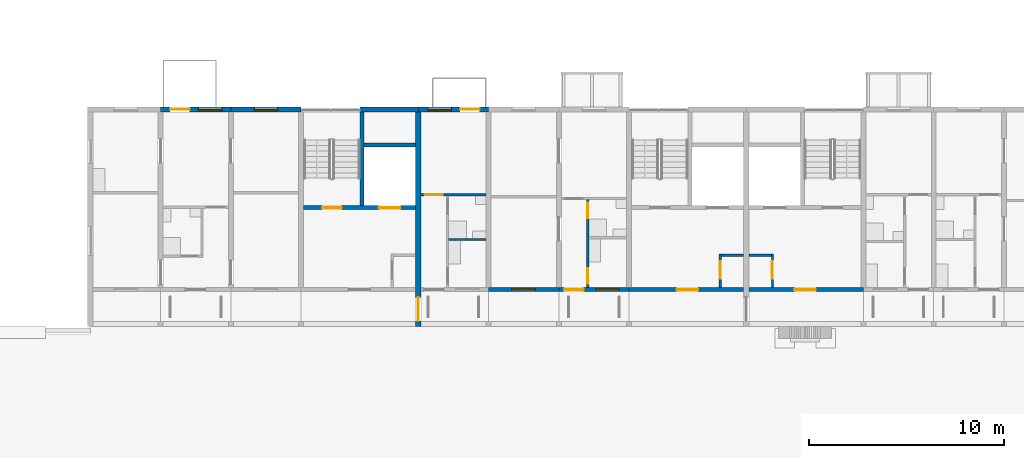
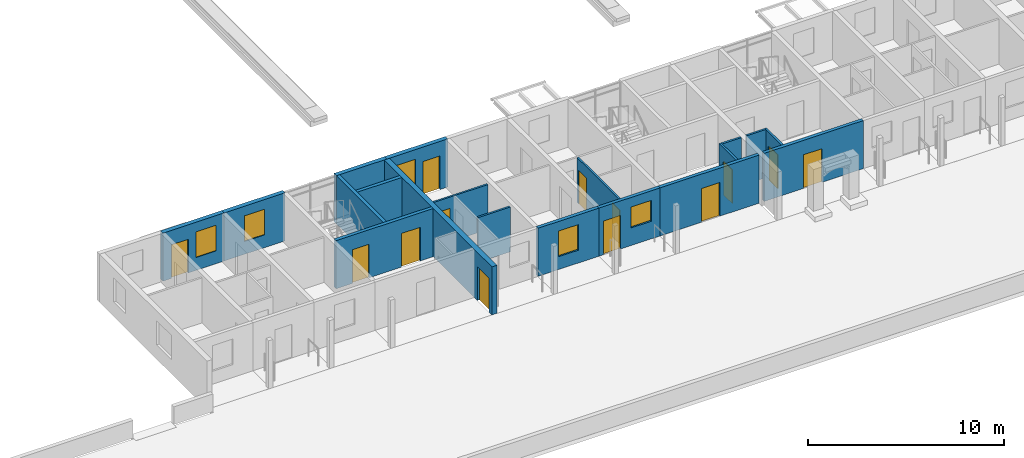
# One storey, part 41 of 115: 19 walls, 13 doors, 5 windows, 18 openings.
"""IFC4 building model written with IfcOpenShell, lengths in metres."""

from ifc_helpers import new_model, si_unit, direction, frame, frame_2d, origin, place, context, subcontext, project, spatial, rectangle, extrude, material, layer, layer_set, type_object, element, fill, save


model = new_model("IFC4")

# Units and contexts
model_context = context("Model", 3, precision=1e-05, world=origin(), true_north=direction((0.0, 1.0)))
body_context = subcontext(model_context, "Body", "Model", "MODEL_VIEW")
ifc_project = project(units=[si_unit("LENGTHUNIT", "METRE"), si_unit("AREAUNIT", "SQUARE_METRE"), si_unit("VOLUMEUNIT", "CUBIC_METRE"), si_unit("PLANEANGLEUNIT", "RADIAN"), si_unit("MASSUNIT", "GRAM", prefix="KILO")], contexts=[model_context])

# Site, building, storey
site_placement = place(None, origin())
site = spatial("IfcSite", under=ifc_project, at=site_placement, CompositionType="ELEMENT")
building_placement = place(site_placement, origin())
building = spatial("IfcBuilding", under=site, at=building_placement, Name="Ridgestep Commons", CompositionType="ELEMENT")
storey_placement = place(building_placement, frame((0.0, 0.0, 6.0)))
storey = spatial("IfcBuildingStorey", under=building, at=storey_placement, Name="L02", CompositionType="ELEMENT", Elevation=6.0)

# Wall, opening, door
ifc_material_1 = material(Name="Concrete C30/37", Category="concrete")
ifc_layer_1 = layer(ifc_material_1, 0.199951171875)
ifc_layer_set_1 = layer_set([ifc_layer_1], Name="Core south wall 200")
wall_type_1 = type_object("IfcWallType", Name="Core south wall 200", PredefinedType="SHEAR", material=ifc_layer_set_1)
wall_1_placement = place(storey_placement, frame((39.60009765625, 13.64990234375, 0.0), z_axis=(0.0, 0.0, 1.0), x_axis=(1.0, 0.0, 0.0)))
wall_1 = element("IfcWall", 1, at=wall_1_placement, inside=storey, type_object=wall_type_1, Name="Core south wall A2C L02", PredefinedType="SHEAR", context=body_context, shape_type="SweptSolid", body=[
    extrude(rectangle(XDim=5.849853515625, YDim=0.199951171875, at=frame_2d((2.9248046875, 0.0))), origin(), (0.0, 0.0, 1.0), 3.0),
])
opening_1_placement = place(wall_1_placement, frame((2.4375, 0.0, 0.0)))
opening_1 = element("IfcOpeningElement", 2, at=opening_1_placement, cuts=wall_1, Name="Opening A2C/02/1", PredefinedType="OPENING", context=body_context, shape_type="SweptSolid", body=[
    extrude(rectangle(XDim=1.10009765625, YDim=2.10009765625, at=frame_2d((0.550048828125, 1.050048828125))), frame((0.0, 0.10986328125, 0.0), z_axis=(0.0, -1.0, 0.0), x_axis=(1.0, 0.0, 0.0)), (0.0, 0.0, 1.0), 0.219970703125),
])
ifc_material_2 = material(Name="Steel fire door", Category="steel")
door_type_1 = type_object("IfcDoorType", Name="Lobby door 1100 x 2100 FD60", OperationType="NOTDEFINED", PredefinedType="DOOR", material=ifc_material_2)
door_1_placement = place(opening_1_placement, origin())
door_1 = element("IfcDoor", 3, at=door_1_placement, inside=storey, type_object=door_type_1, Name="Lobby door A2C/02/1", OperationType="SINGLE_SWING_LEFT", OverallHeight=2.10009765625, OverallWidth=1.10009765625, PredefinedType="DOOR", context=body_context, shape_type="SweptSolid", body=[
    extrude(rectangle(XDim=1.10009765625, YDim=2.10009765625, at=frame_2d((0.550048828125, 1.050048828125))), frame((0.0, 0.02490234375, 0.0), z_axis=(0.0, -1.0, 0.0), x_axis=(1.0, 0.0, 0.0)), (0.0, 0.0, 1.0), 0.050048828125),
])
fill(opening_1, door_1)

wall_2_placement = place(storey_placement, frame((45.75, 13.64990234375, 0.0), z_axis=(0.0, 0.0, 1.0), x_axis=(1.0, 0.0, 0.0)))
wall_2 = element("IfcWall", 4, at=wall_2_placement, inside=storey, type_object=wall_type_1, Name="Core south wall A3C L02", PredefinedType="SHEAR", context=body_context, shape_type="SweptSolid", body=[
    extrude(rectangle(XDim=5.85009765625, YDim=0.199951171875, at=frame_2d((2.925048828125, 0.0))), origin(), (0.0, 0.0, 1.0), 3.0),
])
opening_2_placement = place(wall_2_placement, frame((2.3125, 0.0, 0.0)))
opening_2 = element("IfcOpeningElement", 5, at=opening_2_placement, cuts=wall_2, Name="Opening A3C/02/1", PredefinedType="OPENING", context=body_context, shape_type="SweptSolid", body=[
    extrude(rectangle(XDim=1.10009765625, YDim=2.10009765625, at=frame_2d((0.550048828125, 1.050048828125))), frame((0.0, 0.10986328125, 0.0), z_axis=(0.0, -1.0, 0.0), x_axis=(1.0, 0.0, 0.0)), (0.0, 0.0, 1.0), 0.219970703125),
])
door_2_placement = place(opening_2_placement, origin())
door_2 = element("IfcDoor", 6, at=door_2_placement, inside=storey, type_object=door_type_1, Name="Lobby door A3C/02/1", OperationType="SINGLE_SWING_LEFT", OverallHeight=2.10009765625, OverallWidth=1.10009765625, PredefinedType="DOOR", context=body_context, shape_type="SweptSolid", body=[
    extrude(rectangle(XDim=1.10009765625, YDim=2.10009765625, at=frame_2d((0.550048828125, 1.050048828125))), frame((0.0, 0.02490234375, 0.0), z_axis=(0.0, -1.0, 0.0), x_axis=(1.0, 0.0, 0.0)), (0.0, 0.0, 1.0), 0.050048828125),
])
fill(opening_2, door_2)

ifc_material_3 = material(Name="Concrete C30/37", Category="concrete")
ifc_layer_2 = layer(ifc_material_3, 0.1201171875)
ifc_layer_set_2 = layer_set([ifc_layer_2], Name="Core wall 120")
wall_type_2 = type_object("IfcWallType", Name="Core wall 120", PredefinedType="SHEAR", material=ifc_layer_set_2)
wall_3_placement = place(storey_placement, frame((44.260009765625, 13.75, 0.0), z_axis=(0.0, 0.0, 1.0), x_axis=(0.0, 1.0, 0.0)))
wall_3 = element("IfcWall", 7, at=wall_3_placement, inside=storey, type_object=wall_type_2, Name="Core riser w wall A2C L02", PredefinedType="SHEAR", context=body_context, shape_type="SweptSolid", body=[
    extrude(rectangle(XDim=1.719970703125, YDim=0.1201171875, at=frame_2d((0.85986328125, 0.0))), origin(), (0.0, 0.0, 1.0), 3.0),
])
opening_3_placement = place(wall_3_placement, frame((0.449951171875, 0.0, 0.0)))
opening_3 = element("IfcOpeningElement", 8, at=opening_3_placement, cuts=wall_3, Name="Opening A2C/02/4", PredefinedType="OPENING", context=body_context, shape_type="SweptSolid", body=[
    extrude(rectangle(XDim=0.89990234375, YDim=2.10009765625, at=frame_2d((0.449951171875, 1.050048828125))), frame((0.0, 0.070068359375, 0.0), z_axis=(0.0, -1.0, 0.0), x_axis=(1.0, 0.0, 0.0)), (0.0, 0.0, 1.0), 0.14013671875),
])
ifc_material_4 = material(Name="Steel fire door", Category="steel")
door_type_2 = type_object("IfcDoorType", Name="Riser door 900 x 2100 FD60", OperationType="NOTDEFINED", PredefinedType="DOOR", material=ifc_material_4)
door_3_placement = place(opening_3_placement, origin())
door_3 = element("IfcDoor", 9, at=door_3_placement, inside=storey, type_object=door_type_2, Name="Riser door A2C/02/4", OperationType="SINGLE_SWING_LEFT", OverallHeight=2.10009765625, OverallWidth=0.89990234375, PredefinedType="DOOR", context=body_context, shape_type="SweptSolid", body=[
    extrude(rectangle(XDim=0.89990234375, YDim=2.10009765625, at=frame_2d((0.449951171875, 1.050048828125))), frame((0.0, 0.02490234375, 0.0), z_axis=(0.0, -1.0, 0.0), x_axis=(1.0, 0.0, 0.0)), (0.0, 0.0, 1.0), 0.050048828125),
])
fill(opening_3, door_3)

# Wall
wall_4_placement = place(storey_placement, frame((44.320068359375, 15.409912109375, 0.0), z_axis=(0.0, 0.0, 1.0), x_axis=(1.0, 0.0, 0.0)))
element("IfcWall", 10, at=wall_4_placement, inside=storey, type_object=wall_type_2, Name="Core riser n wall A2C L02", PredefinedType="SHEAR", context=body_context, shape_type="SweptSolid", body=[
    extrude(rectangle(XDim=1.1298828125, YDim=0.1201171875, at=frame_2d((0.56494140625, 0.0))), origin(), (0.0, 0.0, 1.0), 3.0),
])

# Wall, opening, door
wall_5_placement = place(storey_placement, frame((46.93994140625, 13.75, 0.0), z_axis=(0.0, 0.0, 1.0), x_axis=(0.0, 1.0, 0.0)))
wall_5 = element("IfcWall", 11, at=wall_5_placement, inside=storey, type_object=wall_type_2, Name="Core riser w wall A3C L02", PredefinedType="SHEAR", context=body_context, shape_type="SweptSolid", body=[
    extrude(rectangle(XDim=1.719970703125, YDim=0.1201171875, at=frame_2d((0.85986328125, 0.0))), origin(), (0.0, 0.0, 1.0), 3.0),
])
opening_4_placement = place(wall_5_placement, frame((0.449951171875, 0.0, 0.0)))
opening_4 = element("IfcOpeningElement", 12, at=opening_4_placement, cuts=wall_5, Name="Opening A3C/02/4", PredefinedType="OPENING", context=body_context, shape_type="SweptSolid", body=[
    extrude(rectangle(XDim=0.89990234375, YDim=2.10009765625, at=frame_2d((0.449951171875, 1.050048828125))), frame((0.0, 0.070068359375, 0.0), z_axis=(0.0, -1.0, 0.0), x_axis=(1.0, 0.0, 0.0)), (0.0, 0.0, 1.0), 0.14013671875),
])
door_4_placement = place(opening_4_placement, origin())
door_4 = element("IfcDoor", 13, at=door_4_placement, inside=storey, type_object=door_type_2, Name="Riser door A3C/02/4", OperationType="SINGLE_SWING_RIGHT", OverallHeight=2.10009765625, OverallWidth=0.89990234375, PredefinedType="DOOR", context=body_context, shape_type="SweptSolid", body=[
    extrude(rectangle(XDim=0.89990234375, YDim=2.10009765625, at=frame_2d((0.449951171875, 1.050048828125))), frame((0.0, 0.02490234375, 0.0), z_axis=(0.0, -1.0, 0.0), x_axis=(1.0, 0.0, 0.0)), (0.0, 0.0, 1.0), 0.050048828125),
])
fill(opening_4, door_4)

# Wall
wall_6_placement = place(storey_placement, frame((45.75, 15.409912109375, 0.0), z_axis=(0.0, 0.0, 1.0), x_axis=(1.0, 0.0, 0.0)))
element("IfcWall", 14, at=wall_6_placement, inside=storey, type_object=wall_type_2, Name="Core riser n wall A3C L02", PredefinedType="SHEAR", context=body_context, shape_type="SweptSolid", body=[
    extrude(rectangle(XDim=1.1298828125, YDim=0.1201171875, at=frame_2d((0.56494140625, 0.0))), origin(), (0.0, 0.0, 1.0), 3.0),
])

# Wall, openings, doors
ifc_material_5 = material(Name="Concrete C30/37", Category="concrete")
ifc_layer_3 = layer(ifc_material_5, 0.199951171875)
ifc_layer_set_3 = layer_set([ifc_layer_3], Name="Core wall 200")
wall_type_3 = type_object("IfcWallType", Name="Core wall 200", PredefinedType="SHEAR", material=ifc_layer_set_3)
wall_7_placement = place(storey_placement, frame((22.925048828125, 17.85009765625, 0.0), z_axis=(0.0, 0.0, 1.0), x_axis=(1.0, 0.0, 0.0)))
wall_7 = element("IfcWall", 15, at=wall_7_placement, inside=storey, type_object=wall_type_3, Name="Core lobby wall A1C L02", PredefinedType="SHEAR", context=body_context, shape_type="SweptSolid", body=[
    extrude(rectangle(XDim=5.724853515625, YDim=0.199951171875, at=frame_2d((2.8623046875, 0.0))), origin(), (0.0, 0.0, 1.0), 3.0),
])
opening_5_placement = place(wall_7_placement, frame((0.949951171875, 0.0, 0.0)))
opening_5 = element("IfcOpeningElement", 16, at=opening_5_placement, cuts=wall_7, Name="Opening A1C/02/2", PredefinedType="OPENING", context=body_context, shape_type="SweptSolid", body=[
    extrude(rectangle(XDim=1.0, YDim=2.10009765625, at=frame_2d((0.5, 1.050048828125))), frame((0.0, 0.10986328125, 0.0), z_axis=(0.0, -1.0, 0.0), x_axis=(1.0, 0.0, 0.0)), (0.0, 0.0, 1.0), 0.219970703125),
])
opening_6_placement = place(wall_7_placement, frame((3.862548828125, 0.0, 0.0)))
opening_6 = element("IfcOpeningElement", 17, at=opening_6_placement, cuts=wall_7, Name="Opening A1C/02/3", PredefinedType="OPENING", context=body_context, shape_type="SweptSolid", body=[
    extrude(rectangle(XDim=1.10009765625, YDim=2.10009765625, at=frame_2d((0.550048828125, 1.050048828125))), frame((0.0, 0.10986328125, 0.0), z_axis=(0.0, -1.0, 0.0), x_axis=(1.0, 0.0, 0.0)), (0.0, 0.0, 1.0), 0.219970703125),
])
ifc_material_6 = material(Name="Stainless steel", Category="steel")
door_type_3 = type_object("IfcDoorType", Name="Lift landing door 1100 x 2100 FD60", OperationType="DOUBLE_DOOR_SLIDING", PredefinedType="DOOR", material=ifc_material_6)
door_5_placement = place(opening_6_placement, origin())
door_5 = element("IfcDoor", 18, at=door_5_placement, inside=storey, type_object=door_type_3, Name="Landing door LD A1C L02", OperationType="DOUBLE_DOOR_SLIDING", OverallHeight=2.10009765625, OverallWidth=1.10009765625, PredefinedType="DOOR", context=body_context, shape_type="SweptSolid", body=[
    extrude(rectangle(XDim=1.10009765625, YDim=2.10009765625, at=frame_2d((0.550048828125, 1.050048828125))), frame((0.0, 0.02490234375, 0.0), z_axis=(0.0, -1.0, 0.0), x_axis=(1.0, 0.0, 0.0)), (0.0, 0.0, 1.0), 0.050048828125),
])
fill(opening_6, door_5)
ifc_material_7 = material(Name="Steel fire door", Category="steel")
door_type_4 = type_object("IfcDoorType", Name="Stair door 1000 x 2100 FD60", OperationType="NOTDEFINED", PredefinedType="DOOR", material=ifc_material_7)
door_6_placement = place(opening_5_placement, origin())
door_6 = element("IfcDoor", 19, at=door_6_placement, inside=storey, type_object=door_type_4, Name="Stair door A1C/02/2", OperationType="SINGLE_SWING_RIGHT", OverallHeight=2.10009765625, OverallWidth=1.0, PredefinedType="DOOR", context=body_context, shape_type="SweptSolid", body=[
    extrude(rectangle(XDim=1.0, YDim=2.10009765625, at=frame_2d((0.5, 1.050048828125))), frame((0.0, 0.02490234375, 0.0), z_axis=(0.0, -1.0, 0.0), x_axis=(1.0, 0.0, 0.0)), (0.0, 0.0, 1.0), 0.050048828125),
])
fill(opening_5, door_6)

# Walls
wall_8_placement = place(storey_placement, frame((25.925048828125, 17.949951171875, 0.0), z_axis=(0.0, 0.0, 1.0), x_axis=(0.0, 1.0, 0.0)))
element("IfcWall", 20, at=wall_8_placement, inside=storey, type_object=wall_type_3, Name="Core stair wall A1C L02", PredefinedType="SHEAR", context=body_context, shape_type="SweptSolid", body=[
    extrude(rectangle(XDim=4.800048828125, YDim=0.199951171875, at=frame_2d((2.39990234375, 0.0))), origin(), (0.0, 0.0, 1.0), 3.0),
])
wall_9_placement = place(storey_placement, frame((26.02490234375, 21.050048828125, 0.0), z_axis=(0.0, 0.0, 1.0), x_axis=(1.0, 0.0, 0.0)))
element("IfcWall", 21, at=wall_9_placement, inside=storey, type_object=wall_type_3, Name="Core duct wall A1C L02", PredefinedType="SHEAR", context=body_context, shape_type="SweptSolid", body=[
    extrude(rectangle(XDim=2.625, YDim=0.199951171875, at=frame_2d((1.3125, 0.0))), origin(), (0.0, 0.0, 1.0), 3.0),
])

# Wall, opening, door
ifc_material_8 = material(Name="Precast concrete C40/50", Category="concrete")
ifc_layer_4 = layer(ifc_material_8, 0.300048828125)
ifc_layer_set_4 = layer_set([ifc_layer_4], Name="Division wall 300")
wall_type_4 = type_object("IfcWallType", Name="Division wall 300", PredefinedType="SHEAR", material=ifc_layer_set_4)
wall_10_placement = place(storey_placement, frame((28.800048828125, 11.75, 0.0), z_axis=(0.0, 0.0, 1.0), x_axis=(0.0, 1.0, 0.0)))
wall_10 = element("IfcWall", 22, at=wall_10_placement, inside=storey, type_object=wall_type_4, Name="Cross wall A-02-0288", PredefinedType="SHEAR", context=body_context, shape_type="SweptSolid", body=[
    extrude(rectangle(XDim=11.0, YDim=0.300048828125, at=frame_2d((5.5, 0.0))), origin(), (0.0, 0.0, 1.0), 3.0),
])
opening_7_placement = place(wall_10_placement, frame((0.300048828125, 0.0, 0.0)))
opening_7 = element("IfcOpeningElement", 23, at=opening_7_placement, cuts=wall_10, Name="Opening A/02/G0288", PredefinedType="OPENING", context=body_context, shape_type="SweptSolid", body=[
    extrude(rectangle(XDim=1.199951171875, YDim=2.10009765625, at=frame_2d((0.60009765625, 1.050048828125))), frame((0.0, 0.159912109375, 0.0), z_axis=(0.0, -1.0, 0.0), x_axis=(1.0, 0.0, 0.0)), (0.0, 0.0, 1.0), 0.320068359375),
])
ifc_material_9 = material(Name="Steel fire door", Category="steel")
door_type_5 = type_object("IfcDoorType", Name="Division fire door 1200 x 2100 EI 240", OperationType="DOUBLE_DOOR_SINGLE_SWING", PredefinedType="DOOR", material=ifc_material_9)
door_7_placement = place(opening_7_placement, origin())
door_7 = element("IfcDoor", 24, at=door_7_placement, inside=storey, type_object=door_type_5, Name="Division fire door A/02/G0288", OperationType="DOUBLE_DOOR_SINGLE_SWING", OverallHeight=2.10009765625, OverallWidth=1.199951171875, PredefinedType="DOOR", context=body_context, shape_type="SweptSolid", body=[
    extrude(rectangle(XDim=1.199951171875, YDim=2.10009765625, at=frame_2d((0.60009765625, 1.050048828125))), frame((0.0, 0.02490234375, 0.0), z_axis=(0.0, -1.0, 0.0), x_axis=(1.0, 0.0, 0.0)), (0.0, 0.0, 1.0), 0.050048828125),
])
fill(opening_7, door_7)

# Wall, openings, door, window
ifc_material_10 = material(Name="Precast concrete C40/50", Category="concrete")
ifc_layer_5 = layer(ifc_material_10, 0.25)
ifc_layer_set_5 = layer_set([ifc_layer_5], Name="North facade panel 250")
wall_type_5 = type_object("IfcWallType", Name="North facade panel 250", PredefinedType="SOLIDWALL", material=ifc_layer_set_5)
wall_11_placement = place(storey_placement, frame((15.60009765625, 22.875, 0.0), z_axis=(0.0, 0.0, 1.0), x_axis=(1.0, 0.0, 0.0)))
wall_11 = element("IfcWall", 25, at=wall_11_placement, inside=storey, type_object=wall_type_5, Name="North panel A1T2 L02", PredefinedType="SOLIDWALL", context=body_context, shape_type="SweptSolid", body=[
    extrude(rectangle(XDim=3.599853515625, YDim=0.25, at=frame_2d((1.7998046875, 0.0))), origin(), (0.0, 0.0, 1.0), 3.0),
])
opening_8_placement = place(wall_11_placement, frame((1.9345703125, 0.0, 0.800048828125)))
opening_8 = element("IfcOpeningElement", 26, at=opening_8_placement, cuts=wall_11, Name="Opening W11", PredefinedType="OPENING", context=body_context, shape_type="SweptSolid", body=[
    extrude(rectangle(XDim=1.199951171875, YDim=1.60009765625, at=frame_2d((0.60009765625, 0.800048828125))), frame((0.0, 0.135009765625, 0.0), z_axis=(0.0, -1.0, 0.0), x_axis=(1.0, 0.0, 0.0)), (0.0, 0.0, 1.0), 0.27001953125),
])
opening_9_placement = place(wall_11_placement, frame((0.493896484375, 0.0, 0.0)))
opening_9 = element("IfcOpeningElement", 27, at=opening_9_placement, cuts=wall_11, Name="Opening A1-02a/8", PredefinedType="OPENING", context=body_context, shape_type="SweptSolid", body=[
    extrude(rectangle(XDim=1.0, YDim=2.10009765625, at=frame_2d((0.5, 1.050048828125))), frame((0.0, 0.135009765625, 0.0), z_axis=(0.0, -1.0, 0.0), x_axis=(1.0, 0.0, 0.0)), (0.0, 0.0, 1.0), 0.27001953125),
])
ifc_material_11 = material(Name="Aluminium and glass", Category="aluminium")
door_type_6 = type_object("IfcDoorType", Name="Balcony door 1000 x 2100", OperationType="NOTDEFINED", PredefinedType="DOOR", material=ifc_material_11)
door_8_placement = place(opening_9_placement, origin())
door_8 = element("IfcDoor", 28, at=door_8_placement, inside=storey, type_object=door_type_6, Name="Balcony door A1-02a/8", OperationType="SINGLE_SWING_RIGHT", OverallHeight=2.10009765625, OverallWidth=1.0, PredefinedType="DOOR", context=body_context, shape_type="SweptSolid", body=[
    extrude(rectangle(XDim=1.0, YDim=2.10009765625, at=frame_2d((0.5, 1.050048828125))), frame((0.0, 0.02490234375, 0.0), z_axis=(0.0, -1.0, 0.0), x_axis=(1.0, 0.0, 0.0)), (0.0, 0.0, 1.0), 0.050048828125),
])
fill(opening_9, door_8)
ifc_material_12 = material(Name="Aluminium 6063-T6 and glass", Category="aluminium")
window_type_1 = type_object("IfcWindowType", Name="Flat window 1200 x 1600", PartitioningType="SINGLE_PANEL", PredefinedType="WINDOW", material=ifc_material_12)
window_1_placement = place(opening_8_placement, origin())
window_1 = element("IfcWindow", 29, at=window_1_placement, inside=storey, type_object=window_type_1, Name="Window A1-02a 5", OverallHeight=1.60009765625, OverallWidth=1.199951171875, PartitioningType="SINGLE_PANEL", PredefinedType="WINDOW", context=body_context, shape_type="SweptSolid", body=[
    extrude(rectangle(XDim=1.199951171875, YDim=1.60009765625, at=frame_2d((0.60009765625, 0.800048828125))), frame((0.0, -0.02490234375, 0.0), z_axis=(0.0, -1.0, 0.0), x_axis=(1.0, 0.0, 0.0)), (0.0, 0.0, 1.0), 0.06005859375),
])
fill(opening_8, window_1)

# Wall, opening, window
wall_12_placement = place(storey_placement, frame((19.199951171875, 22.875, 0.0), z_axis=(0.0, 0.0, 1.0), x_axis=(1.0, 0.0, 0.0)))
wall_12 = element("IfcWall", 30, at=wall_12_placement, inside=storey, type_object=wall_type_5, Name="North panel A1T3 L02", PredefinedType="SOLIDWALL", context=body_context, shape_type="SweptSolid", body=[
    extrude(rectangle(XDim=3.60009765625, YDim=0.25, at=frame_2d((1.800048828125, 0.0))), origin(), (0.0, 0.0, 1.0), 3.0),
])
opening_10_placement = place(wall_12_placement, frame((1.199951171875, 0.0, 0.800048828125)))
opening_10 = element("IfcOpeningElement", 31, at=opening_10_placement, cuts=wall_12, Name="Opening W11", PredefinedType="OPENING", context=body_context, shape_type="SweptSolid", body=[
    extrude(rectangle(XDim=1.199951171875, YDim=1.60009765625, at=frame_2d((0.60009765625, 0.800048828125))), frame((0.0, 0.135009765625, 0.0), z_axis=(0.0, -1.0, 0.0), x_axis=(1.0, 0.0, 0.0)), (0.0, 0.0, 1.0), 0.27001953125),
])
window_2_placement = place(opening_10_placement, origin())
window_2 = element("IfcWindow", 32, at=window_2_placement, inside=storey, type_object=window_type_1, Name="Window A1-02a 4", OverallHeight=1.60009765625, OverallWidth=1.199951171875, PartitioningType="SINGLE_PANEL", PredefinedType="WINDOW", context=body_context, shape_type="SweptSolid", body=[
    extrude(rectangle(XDim=1.199951171875, YDim=1.60009765625, at=frame_2d((0.60009765625, 0.800048828125))), frame((0.0, -0.02490234375, 0.0), z_axis=(0.0, -1.0, 0.0), x_axis=(1.0, 0.0, 0.0)), (0.0, 0.0, 1.0), 0.06005859375),
])
fill(opening_10, window_2)

# Wall
wall_13_placement = place(storey_placement, frame((25.824951171875, 22.875, 0.0), z_axis=(0.0, 0.0, 1.0), x_axis=(1.0, 0.0, 0.0)))
element("IfcWall", 33, at=wall_13_placement, inside=storey, type_object=wall_type_5, Name="North panel A1C L02", PredefinedType="SOLIDWALL", context=body_context, shape_type="SweptSolid", body=[
    extrude(rectangle(XDim=2.97509765625, YDim=0.25, at=frame_2d((1.487548828125, 0.0))), origin(), (0.0, 0.0, 1.0), 3.0),
])

# Wall, openings, door, window
wall_14_placement = place(storey_placement, frame((28.800048828125, 22.875, 0.0), z_axis=(0.0, 0.0, 1.0), x_axis=(1.0, 0.0, 0.0)))
wall_14 = element("IfcWall", 34, at=wall_14_placement, inside=storey, type_object=wall_type_5, Name="North panel A2T1 L02", PredefinedType="SOLIDWALL", context=body_context, shape_type="SweptSolid", body=[
    extrude(rectangle(XDim=3.599853515625, YDim=0.25, at=frame_2d((1.7998046875, 0.0))), origin(), (0.0, 0.0, 1.0), 3.0),
])
opening_11_placement = place(wall_14_placement, frame((0.4990234375, 0.0, 0.800048828125)))
opening_11 = element("IfcOpeningElement", 35, at=opening_11_placement, cuts=wall_14, Name="Opening W11", PredefinedType="OPENING", context=body_context, shape_type="SweptSolid", body=[
    extrude(rectangle(XDim=1.199951171875, YDim=1.60009765625, at=frame_2d((0.60009765625, 0.800048828125))), frame((0.0, 0.135009765625, 0.0), z_axis=(0.0, -1.0, 0.0), x_axis=(1.0, 0.0, 0.0)), (0.0, 0.0, 1.0), 0.27001953125),
])
opening_12_placement = place(wall_14_placement, frame((2.14794921875, 0.0, 0.0)))
opening_12 = element("IfcOpeningElement", 36, at=opening_12_placement, cuts=wall_14, Name="Opening A2-02a/5", PredefinedType="OPENING", context=body_context, shape_type="SweptSolid", body=[
    extrude(rectangle(XDim=1.0, YDim=2.10009765625, at=frame_2d((0.5, 1.050048828125))), frame((0.0, 0.135009765625, 0.0), z_axis=(0.0, -1.0, 0.0), x_axis=(1.0, 0.0, 0.0)), (0.0, 0.0, 1.0), 0.27001953125),
])
door_9_placement = place(opening_12_placement, origin())
door_9 = element("IfcDoor", 37, at=door_9_placement, inside=storey, type_object=door_type_6, Name="Balcony door A2-02a/5", OperationType="SINGLE_SWING_LEFT", OverallHeight=2.10009765625, OverallWidth=1.0, PredefinedType="DOOR", context=body_context, shape_type="SweptSolid", body=[
    extrude(rectangle(XDim=1.0, YDim=2.10009765625, at=frame_2d((0.5, 1.050048828125))), frame((0.0, 0.02490234375, 0.0), z_axis=(0.0, -1.0, 0.0), x_axis=(1.0, 0.0, 0.0)), (0.0, 0.0, 1.0), 0.050048828125),
])
fill(opening_12, door_9)
window_3_placement = place(opening_11_placement, origin())
window_3 = element("IfcWindow", 38, at=window_3_placement, inside=storey, type_object=window_type_1, Name="Window A2-02a 2", OverallHeight=1.60009765625, OverallWidth=1.199951171875, PartitioningType="SINGLE_PANEL", PredefinedType="WINDOW", context=body_context, shape_type="SweptSolid", body=[
    extrude(rectangle(XDim=1.199951171875, YDim=1.60009765625, at=frame_2d((0.60009765625, 0.800048828125))), frame((0.0, -0.02490234375, 0.0), z_axis=(0.0, -1.0, 0.0), x_axis=(1.0, 0.0, 0.0)), (0.0, 0.0, 1.0), 0.06005859375),
])
fill(opening_11, window_3)

# Wall
ifc_material_13 = material(Name="Common brick 110 mm", Category="masonry")
ifc_layer_6 = layer(ifc_material_13, 0.110107421875)
ifc_layer_set_6 = layer_set([ifc_layer_6], Name="Partition 110")
wall_type_6 = type_object("IfcWallType", Name="Partition 110", PredefinedType="PARTITIONING", material=ifc_layer_set_6)
wall_15_placement = place(storey_placement, frame((30.360107421875, 16.205078125, 0.0), z_axis=(0.0, 0.0, 1.0), x_axis=(1.0, 0.0, 0.0)))
element("IfcWall", 39, at=wall_15_placement, inside=storey, type_object=wall_type_6, Name="Partition A2-02a", PredefinedType="PARTITIONING", context=body_context, shape_type="SweptSolid", body=[
    extrude(rectangle(XDim=1.914794921875, YDim=0.110107421875, at=frame_2d((0.95751953125, 0.0))), origin(), (0.0, 0.0, 1.0), 2.800048828125),
])

# Wall, opening, door
wall_16_placement = place(storey_placement, frame((28.949951171875, 18.5048828125, 0.0), z_axis=(0.0, 0.0, 1.0), x_axis=(1.0, 0.0, 0.0)))
wall_16 = element("IfcWall", 40, at=wall_16_placement, inside=storey, type_object=wall_type_6, Name="Partition A2-02a", PredefinedType="PARTITIONING", context=body_context, shape_type="SweptSolid", body=[
    extrude(rectangle(XDim=3.324951171875, YDim=0.110107421875, at=frame_2d((1.66259765625, 0.0))), origin(), (0.0, 0.0, 1.0), 2.800048828125),
])
opening_13_placement = place(wall_16_placement, frame((0.199951171875, 0.0, 0.0)))
opening_13 = element("IfcOpeningElement", 41, at=opening_13_placement, cuts=wall_16, Name="Opening A2-02a/4", PredefinedType="OPENING", context=body_context, shape_type="SweptSolid", body=[
    extrude(rectangle(XDim=0.89990234375, YDim=2.10009765625, at=frame_2d((0.449951171875, 1.050048828125))), frame((0.0, 0.06494140625, 0.0), z_axis=(0.0, -1.0, 0.0), x_axis=(1.0, 0.0, 0.0)), (0.0, 0.0, 1.0), 0.130126953125),
])
ifc_material_14 = material(Name="Timber door leaf", Category="wood")
door_type_7 = type_object("IfcDoorType", Name="Internal door 900 x 2100", OperationType="NOTDEFINED", PredefinedType="DOOR", material=ifc_material_14)
door_10_placement = place(opening_13_placement, origin())
door_10 = element("IfcDoor", 42, at=door_10_placement, inside=storey, type_object=door_type_7, Name="Internal door A2-02a/4", OperationType="SINGLE_SWING_RIGHT", OverallHeight=2.10009765625, OverallWidth=0.89990234375, PredefinedType="DOOR", context=body_context, shape_type="SweptSolid", body=[
    extrude(rectangle(XDim=0.89990234375, YDim=2.10009765625, at=frame_2d((0.449951171875, 1.050048828125))), frame((0.0, 0.02490234375, 0.0), z_axis=(0.0, -1.0, 0.0), x_axis=(1.0, 0.0, 0.0)), (0.0, 0.0, 1.0), 0.050048828125),
])
fill(opening_13, door_10)

# Wall, openings, doors
wall_17_placement = place(storey_placement, frame((37.47998046875, 13.75, 0.0), z_axis=(0.0, 0.0, 1.0), x_axis=(0.0, 1.0, 0.0)))
wall_17 = element("IfcWall", 43, at=wall_17_placement, inside=storey, type_object=wall_type_6, Name="Partition A2-02b", PredefinedType="PARTITIONING", context=body_context, shape_type="SweptSolid", body=[
    extrude(rectangle(XDim=4.5, YDim=0.110107421875, at=frame_2d((2.25, 0.0))), origin(), (0.0, 0.0, 1.0), 2.800048828125),
])
opening_14_placement = place(wall_17_placement, frame((0.199951171875, 0.0, 0.0)))
opening_14 = element("IfcOpeningElement", 44, at=opening_14_placement, cuts=wall_17, Name="Opening A2-02b/2", PredefinedType="OPENING", context=body_context, shape_type="SweptSolid", body=[
    extrude(rectangle(XDim=0.800048828125, YDim=2.10009765625, at=frame_2d((0.39990234375, 1.050048828125))), frame((0.0, 0.06494140625, 0.0), z_axis=(0.0, -1.0, 0.0), x_axis=(1.0, 0.0, 0.0)), (0.0, 0.0, 1.0), 0.130126953125),
])
opening_15_placement = place(wall_17_placement, frame((3.550048828125, 0.0, 0.0)))
opening_15 = element("IfcOpeningElement", 45, at=opening_15_placement, cuts=wall_17, Name="Opening A2-02b/3", PredefinedType="OPENING", context=body_context, shape_type="SweptSolid", body=[
    extrude(rectangle(XDim=0.800048828125, YDim=2.10009765625, at=frame_2d((0.39990234375, 1.050048828125))), frame((0.0, 0.06494140625, 0.0), z_axis=(0.0, -1.0, 0.0), x_axis=(1.0, 0.0, 0.0)), (0.0, 0.0, 1.0), 0.130126953125),
])
ifc_material_15 = material(Name="Timber door leaf", Category="wood")
door_type_8 = type_object("IfcDoorType", Name="Internal door 800 x 2100", OperationType="NOTDEFINED", PredefinedType="DOOR", material=ifc_material_15)
door_11_placement = place(opening_14_placement, origin())
door_11 = element("IfcDoor", 46, at=door_11_placement, inside=storey, type_object=door_type_8, Name="Internal door A2-02b/2", OperationType="SINGLE_SWING_RIGHT", OverallHeight=2.10009765625, OverallWidth=0.800048828125, PredefinedType="DOOR", context=body_context, shape_type="SweptSolid", body=[
    extrude(rectangle(XDim=0.800048828125, YDim=2.10009765625, at=frame_2d((0.39990234375, 1.050048828125))), frame((0.0, 0.02490234375, 0.0), z_axis=(0.0, -1.0, 0.0), x_axis=(1.0, 0.0, 0.0)), (0.0, 0.0, 1.0), 0.050048828125),
])
fill(opening_14, door_11)
door_12_placement = place(opening_15_placement, origin())
door_12 = element("IfcDoor", 47, at=door_12_placement, inside=storey, type_object=door_type_8, Name="Internal door A2-02b/3", OperationType="SINGLE_SWING_LEFT", OverallHeight=2.10009765625, OverallWidth=0.800048828125, PredefinedType="DOOR", context=body_context, shape_type="SweptSolid", body=[
    extrude(rectangle(XDim=0.800048828125, YDim=2.10009765625, at=frame_2d((0.39990234375, 1.050048828125))), frame((0.0, 0.02490234375, 0.0), z_axis=(0.0, -1.0, 0.0), x_axis=(1.0, 0.0, 0.0)), (0.0, 0.0, 1.0), 0.050048828125),
])
fill(opening_15, door_12)

# Wall, opening, window
ifc_material_16 = material(Name="Precast concrete C40/50", Category="concrete")
ifc_layer_7 = layer(ifc_material_16, 0.199951171875)
ifc_layer_set_7 = layer_set([ifc_layer_7], Name="South facade panel 200")
wall_type_7 = type_object("IfcWallType", Name="South facade panel 200", PredefinedType="SOLIDWALL", material=ifc_layer_set_7)
wall_18_placement = place(storey_placement, frame((32.39990234375, 13.64990234375, 0.0), z_axis=(0.0, 0.0, 1.0), x_axis=(1.0, 0.0, 0.0)))
wall_18 = element("IfcWall", 48, at=wall_18_placement, inside=storey, type_object=wall_type_7, Name="South panel A2T2 L02", PredefinedType="SOLIDWALL", context=body_context, shape_type="SweptSolid", body=[
    extrude(rectangle(XDim=3.60009765625, YDim=0.199951171875, at=frame_2d((1.800048828125, 0.0))), origin(), (0.0, 0.0, 1.0), 3.0),
])
opening_16_placement = place(wall_18_placement, frame((1.199951171875, 0.0, 0.800048828125)))
opening_16 = element("IfcOpeningElement", 49, at=opening_16_placement, cuts=wall_18, Name="Opening W11", PredefinedType="OPENING", context=body_context, shape_type="SweptSolid", body=[
    extrude(rectangle(XDim=1.199951171875, YDim=1.60009765625, at=frame_2d((0.60009765625, 0.800048828125))), frame((0.0, 0.10986328125, 0.0), z_axis=(0.0, -1.0, 0.0), x_axis=(1.0, 0.0, 0.0)), (0.0, 0.0, 1.0), 0.219970703125),
])
window_4_placement = place(opening_16_placement, origin())
window_4 = element("IfcWindow", 50, at=window_4_placement, inside=storey, type_object=window_type_1, Name="Window A2-02b 1", OverallHeight=1.60009765625, OverallWidth=1.199951171875, PartitioningType="SINGLE_PANEL", PredefinedType="WINDOW", context=body_context, shape_type="SweptSolid", body=[
    extrude(rectangle(XDim=1.199951171875, YDim=1.60009765625, at=frame_2d((0.60009765625, 0.800048828125))), frame((0.0, 0.06005859375, 0.0), z_axis=(0.0, -1.0, 0.0), x_axis=(1.0, 0.0, 0.0)), (0.0, 0.0, 1.0), 0.06005859375),
])
fill(opening_16, window_4)

# Wall, openings, door, window
wall_19_placement = place(storey_placement, frame((36.0, 13.64990234375, 0.0), z_axis=(0.0, 0.0, 1.0), x_axis=(1.0, 0.0, 0.0)))
wall_19 = element("IfcWall", 51, at=wall_19_placement, inside=storey, type_object=wall_type_7, Name="South panel A2T3 L02", PredefinedType="SOLIDWALL", context=body_context, shape_type="SweptSolid", body=[
    extrude(rectangle(XDim=3.60009765625, YDim=0.199951171875, at=frame_2d((1.800048828125, 0.0))), origin(), (0.0, 0.0, 1.0), 3.0),
])
opening_17_placement = place(wall_19_placement, frame((1.905029296875, 0.0, 1.10009765625)))
opening_17 = element("IfcOpeningElement", 52, at=opening_17_placement, cuts=wall_19, Name="Opening W08", PredefinedType="OPENING", context=body_context, shape_type="SweptSolid", body=[
    extrude(rectangle(XDim=1.199951171875, YDim=1.300048828125, at=frame_2d((0.60009765625, 0.64990234375))), frame((0.0, 0.10986328125, 0.0), z_axis=(0.0, -1.0, 0.0), x_axis=(1.0, 0.0, 0.0)), (0.0, 0.0, 1.0), 0.219970703125),
])
opening_18_placement = place(wall_19_placement, frame((0.27490234375, 0.0, 0.0)))
opening_18 = element("IfcOpeningElement", 53, at=opening_18_placement, cuts=wall_19, Name="Opening A2-02b/1", PredefinedType="OPENING", context=body_context, shape_type="SweptSolid", body=[
    extrude(rectangle(XDim=1.0, YDim=2.10009765625, at=frame_2d((0.5, 1.050048828125))), frame((0.0, 0.10986328125, 0.0), z_axis=(0.0, -1.0, 0.0), x_axis=(1.0, 0.0, 0.0)), (0.0, 0.0, 1.0), 0.219970703125),
])
ifc_material_17 = material(Name="Timber door leaf", Category="wood")
door_type_9 = type_object("IfcDoorType", Name="Flat entrance door 1000 x 2100 FD30S", OperationType="NOTDEFINED", PredefinedType="DOOR", material=ifc_material_17)
door_13_placement = place(opening_18_placement, origin())
door_13 = element("IfcDoor", 54, at=door_13_placement, inside=storey, type_object=door_type_9, Name="Flat entrance door A2-02b/1", OperationType="SINGLE_SWING_LEFT", OverallHeight=2.10009765625, OverallWidth=1.0, PredefinedType="DOOR", context=body_context, shape_type="SweptSolid", body=[
    extrude(rectangle(XDim=1.0, YDim=2.10009765625, at=frame_2d((0.5, 1.050048828125))), frame((0.0, 0.02490234375, 0.0), z_axis=(0.0, -1.0, 0.0), x_axis=(1.0, 0.0, 0.0)), (0.0, 0.0, 1.0), 0.050048828125),
])
fill(opening_18, door_13)
ifc_material_18 = material(Name="Aluminium 6063-T6 and glass", Category="aluminium")
window_type_2 = type_object("IfcWindowType", Name="Flat window 1200 x 1300", PartitioningType="SINGLE_PANEL", PredefinedType="WINDOW", material=ifc_material_18)
window_5_placement = place(opening_17_placement, origin())
window_5 = element("IfcWindow", 55, at=window_5_placement, inside=storey, type_object=window_type_2, Name="Window A2-02b 3", OverallHeight=1.300048828125, OverallWidth=1.199951171875, PartitioningType="SINGLE_PANEL", PredefinedType="WINDOW", context=body_context, shape_type="SweptSolid", body=[
    extrude(rectangle(XDim=1.199951171875, YDim=1.300048828125, at=frame_2d((0.60009765625, 0.64990234375))), frame((0.0, 0.06005859375, 0.0), z_axis=(0.0, -1.0, 0.0), x_axis=(1.0, 0.0, 0.0)), (0.0, 0.0, 1.0), 0.06005859375),
])
fill(opening_17, window_5)

save(model, "model.ifc")
